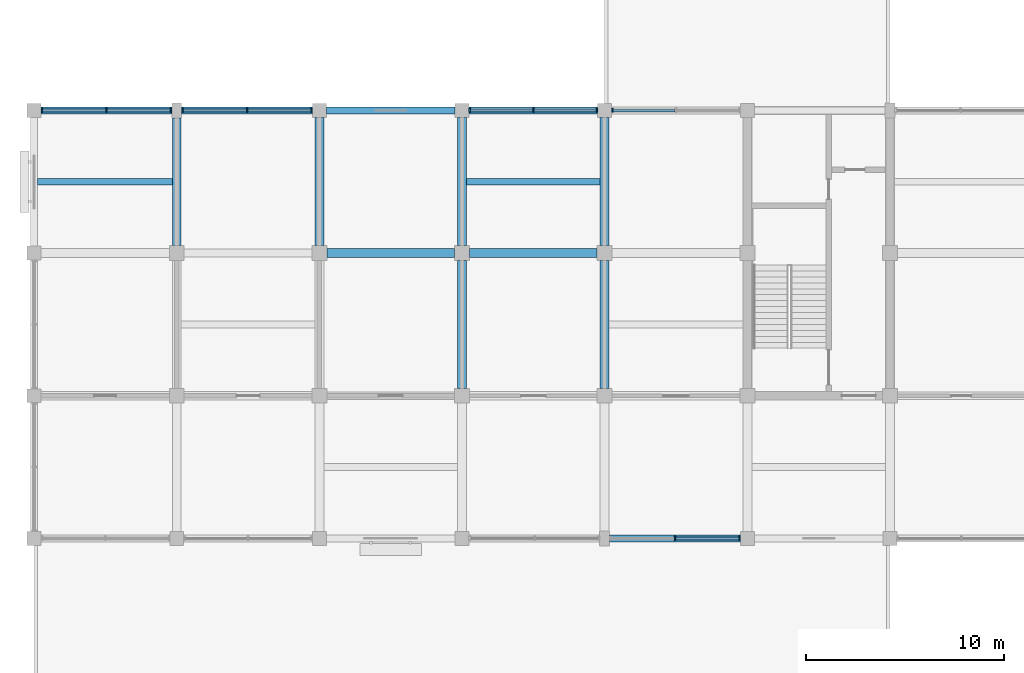
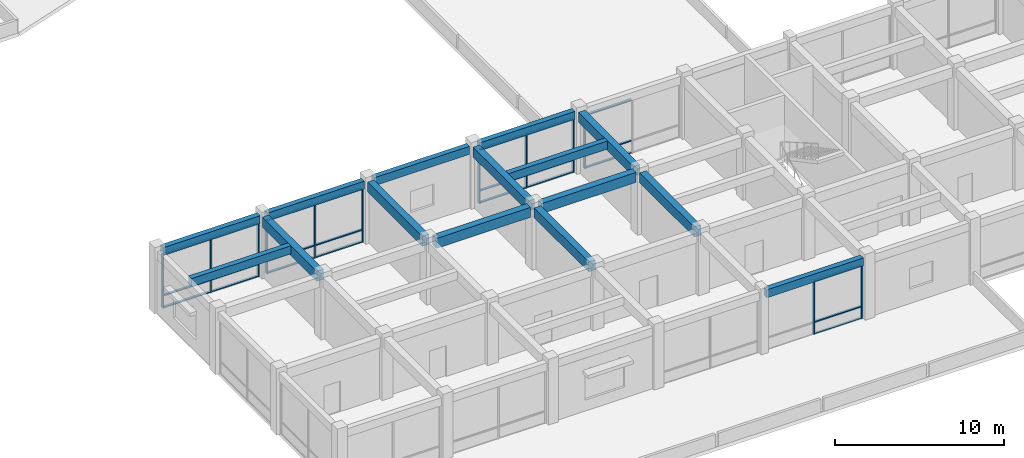
# One storey, part 3 of 30: 36 members, 15 beams, 5 elements without a shape of their own.
"""IFC4 building model written with IfcOpenShell, lengths in metres."""

from ifc_helpers import new_model, si_unit, direction, frame, origin, origin_2d, place, context, subcontext, project, spatial, rectangle, extrude, material, layer, layer_set, material_profile, profile_set, type_object, element, aggregate, save


model = new_model("IFC4")

# Units and contexts
model_context = context("Model", 3, precision=1e-05, world=origin(), true_north=direction((0.0, 1.0)))
body_context = subcontext(model_context, "Body", "Model", "MODEL_VIEW")
ifc_project = project(units=[si_unit("LENGTHUNIT", "METRE"), si_unit("AREAUNIT", "SQUARE_METRE"), si_unit("VOLUMEUNIT", "CUBIC_METRE"), si_unit("PLANEANGLEUNIT", "RADIAN"), si_unit("MASSUNIT", "GRAM", prefix="KILO")], contexts=[model_context])

# Site, building, storey
site_placement = place(None, origin())
site = spatial("IfcSite", under=ifc_project, at=site_placement, CompositionType="ELEMENT")
building_placement = place(site_placement, origin())
building = spatial("IfcBuilding", under=site, at=building_placement, Name="Cendaluz Park School", CompositionType="ELEMENT")
storey_placement = place(building_placement, frame((0.0, 0.0, 9.60009765625)))
storey = spatial("IfcBuildingStorey", under=building, at=storey_placement, Name="L02", CompositionType="ELEMENT", Elevation=9.60009765625)

# Beams
ifc_material_1 = material(Name="Concrete C40/50", Category="concrete")
ifc_material_profile_1 = material_profile(ifc_material_1, rectangle(XDim=0.449951171875, YDim=0.719970703125, at=origin_2d()), Name="RC 450x720", Category="concrete")
ifc_profile_set_1 = profile_set([ifc_material_profile_1], Name="Concrete C40/50")
beam_type_1 = type_object("IfcBeamType", Name="BM-RC02", PredefinedType="BEAM", material=ifc_profile_set_1)
beam_1_placement = place(storey_placement, frame((14.77490234375, 21.60009765625, 4.099853515625), z_axis=(1.0, 0.0, 0.0), x_axis=(0.0, 1.0, 0.0)))
element("IfcBeam", 1, at=beam_1_placement, inside=storey, type_object=beam_type_1, Name="BM-L02-BMRC02-0011", PredefinedType="BEAM", context=body_context, shape_type="SweptSolid", body=[
    extrude(rectangle(XDim=0.449951171875, YDim=0.719970703125, at=origin_2d()), origin(), (0.0, 0.0, 1.0), 6.4501953125),
])
for number, where, z_axis, x_axis, name in (
    (2, (21.97509765625, 21.60009765625, 4.099853515625), (1.0, 0.0, 0.0), (0.0, 1.0, 0.0), "BM-L02-BMRC02-0015"),
    (3, (7.199951171875, 21.97509765625, 4.099853515625), (0.0, 1.0, 0.0), (-1.0, 0.0, 0.0), "BM-L02-BMRC02-0132"),
):
    element("IfcBeam", number, at=place(storey_placement, frame(where, z_axis=z_axis, x_axis=x_axis)), inside=storey, type_object=beam_type_1, Name=name, PredefinedType="BEAM", context=body_context, shape_type="SweptSolid", body=[
        extrude(rectangle(XDim=0.449951171875, YDim=0.719970703125, at=origin_2d()), origin(), (0.0, 0.0, 1.0), 6.449951171875),
    ])
beam_2_placement = place(storey_placement, frame((14.39990234375, 21.97509765625, 4.099853515625), z_axis=(0.0, 1.0, 0.0), x_axis=(-1.0, 0.0, 0.0)))
element("IfcBeam", 4, at=beam_2_placement, inside=storey, type_object=beam_type_1, Name="BM-L02-BMRC02-0135", PredefinedType="BEAM", context=body_context, shape_type="SweptSolid", body=[
    extrude(rectangle(XDim=0.449951171875, YDim=0.719970703125, at=origin_2d()), origin(), (0.0, 0.0, 1.0), 6.474853515625),
])
beam_3_placement = place(storey_placement, frame((21.60009765625, 14.77490234375, 4.099853515625), z_axis=(0.0, 1.0, 0.0), x_axis=(-1.0, 0.0, 0.0)))
element("IfcBeam", 5, at=beam_3_placement, inside=storey, type_object=beam_type_1, Name="BM-L02-BMRC02-0137", PredefinedType="BEAM", context=body_context, shape_type="SweptSolid", body=[
    extrude(rectangle(XDim=0.449951171875, YDim=0.719970703125, at=origin_2d()), origin(), (0.0, 0.0, 1.0), 6.4501953125),
])
beam_4_placement = place(storey_placement, frame((21.60009765625, 21.97509765625, 4.099853515625), z_axis=(0.0, 1.0, 0.0), x_axis=(-1.0, 0.0, 0.0)))
element("IfcBeam", 6, at=beam_4_placement, inside=storey, type_object=beam_type_1, Name="BM-L02-BMRC02-0138", PredefinedType="BEAM", context=body_context, shape_type="SweptSolid", body=[
    extrude(rectangle(XDim=0.449951171875, YDim=0.719970703125, at=origin_2d()), origin(), (0.0, 0.0, 1.0), 6.474853515625),
])
beam_5_placement = place(storey_placement, frame((28.800048828125, 14.77490234375, 4.099853515625), z_axis=(0.0, 1.0, 0.0), x_axis=(-1.0, 0.0, 0.0)))
element("IfcBeam", 7, at=beam_5_placement, inside=storey, type_object=beam_type_1, Name="BM-L02-BMRC02-0140", PredefinedType="BEAM", context=body_context, shape_type="SweptSolid", body=[
    extrude(rectangle(XDim=0.449951171875, YDim=0.719970703125, at=origin_2d()), origin(), (0.0, 0.0, 1.0), 6.4501953125),
])
beam_6_placement = place(storey_placement, frame((28.800048828125, 21.97509765625, 4.099853515625), z_axis=(0.0, 1.0, 0.0), x_axis=(-1.0, 0.0, 0.0)))
element("IfcBeam", 8, at=beam_6_placement, inside=storey, type_object=beam_type_1, Name="BM-L02-BMRC02-0141", PredefinedType="BEAM", context=body_context, shape_type="SweptSolid", body=[
    extrude(rectangle(XDim=0.449951171875, YDim=0.719970703125, at=origin_2d()), origin(), (0.0, 0.0, 1.0), 6.474853515625),
])
ifc_material_profile_2 = material_profile(ifc_material_1, rectangle(XDim=0.35009765625, YDim=0.580078125, at=origin_2d()), Name="RC 350x580", Category="concrete")
ifc_profile_set_2 = profile_set([ifc_material_profile_2], Name="Concrete C40/50")
beam_type_2 = type_object("IfcBeamType", Name="BM-RC04", PredefinedType="LINTEL", material=ifc_profile_set_2)
beam_7_placement = place(storey_placement, frame((0.35009765625, 28.800048828125, 4.169921875), z_axis=(1.0, 0.0, 0.0), x_axis=(0.0, 1.0, 0.0)))
element("IfcBeam", 9, at=beam_7_placement, inside=storey, type_object=beam_type_2, Name="BM-L02-BMRC04-0004", PredefinedType="LINTEL", context=body_context, shape_type="SweptSolid", body=[
    extrude(rectangle(XDim=0.35009765625, YDim=0.580078125, at=origin_2d()), origin(), (0.0, 0.0, 1.0), 6.599853515625),
])
beam_8_placement = place(storey_placement, frame((7.449951171875, 28.800048828125, 4.169921875), z_axis=(1.0, 0.0, 0.0), x_axis=(0.0, 1.0, 0.0)))
element("IfcBeam", 10, at=beam_8_placement, inside=storey, type_object=beam_type_2, Name="BM-L02-BMRC04-0008", PredefinedType="LINTEL", context=body_context, shape_type="SweptSolid", body=[
    extrude(rectangle(XDim=0.35009765625, YDim=0.580078125, at=origin_2d()), origin(), (0.0, 0.0, 1.0), 6.60009765625),
])
for number, where, z_axis, x_axis, name in (
    (11, (14.75, 28.800048828125, 4.169921875), (1.0, 0.0, 0.0), (0.0, 1.0, 0.0), "BM-L02-BMRC04-0012"),
    (12, (21.949951171875, 28.800048828125, 4.169921875), (1.0, 0.0, 0.0), (0.0, 1.0, 0.0), "BM-L02-BMRC04-0016"),
):
    element("IfcBeam", number, at=place(storey_placement, frame(where, z_axis=z_axis, x_axis=x_axis)), inside=storey, type_object=beam_type_2, Name=name, PredefinedType="LINTEL", context=body_context, shape_type="SweptSolid", body=[
        extrude(rectangle(XDim=0.35009765625, YDim=0.580078125, at=origin_2d()), origin(), (0.0, 0.0, 1.0), 6.5),
    ])
beam_9_placement = place(storey_placement, frame((29.050048828125, 7.199951171875, 4.169921875), z_axis=(1.0, 0.0, 0.0), x_axis=(0.0, 1.0, 0.0)))
element("IfcBeam", 13, at=beam_9_placement, inside=storey, type_object=beam_type_2, Name="BM-L02-BMRC04-0017", PredefinedType="LINTEL", context=body_context, shape_type="SweptSolid", body=[
    extrude(rectangle(XDim=0.35009765625, YDim=0.580078125, at=origin_2d()), origin(), (0.0, 0.0, 1.0), 6.599853515625),
])

# Curtain wall, members
ifc_material_2 = material(Name="Anodised Aluminium 6063-T6", Category="aluminium")
ifc_layer_1 = layer(ifc_material_2, 0.179931640625)
ifc_layer_set_1 = layer_set([ifc_layer_1], Name="Anodised Aluminium 6063-T6")
curtain_wall_type_1 = type_object("IfcCurtainWallType", Name="CW-132x78", PredefinedType="NOTDEFINED", material=ifc_layer_set_1)
curtain_wall_1_placement = place(storey_placement, origin())
curtain_wall_1 = element("IfcCurtainWall", 14, at=curtain_wall_1_placement, inside=storey, type_object=curtain_wall_type_1, Name="CW-L02-093", PredefinedType="NOTDEFINED")
ifc_material_profile_3 = material_profile(ifc_material_2, rectangle(XDim=0.199951171875, YDim=0.080078125, at=origin_2d()), Name="CWM 200x80", Category="aluminium")
ifc_profile_set_3 = profile_set([ifc_material_profile_3], Name="Anodised Aluminium 6063-T6")
member_type_1 = type_object("IfcMemberType", Name="CWM-02", PredefinedType="MULLION", material=ifc_profile_set_3)
member_1_placement = place(storey_placement, frame((0.389892578125, 28.800048828125, 0.0), z_axis=(0.0, 0.0, 1.0), x_axis=(0.0, 1.0, 0.0)))
member_1 = element("IfcMember", 15, at=member_1_placement, type_object=member_type_1, Name="CP-L02-1197", PredefinedType="MULLION", context=body_context, shape_type="SweptSolid", body=[
    extrude(rectangle(XDim=0.199951171875, YDim=0.080078125, at=origin_2d()), origin(), (0.0, 0.0, 1.0), 3.8798828125),
])
member_2_placement = place(storey_placement, frame((3.64990234375, 28.800048828125, 0.0), z_axis=(0.0, 0.0, 1.0), x_axis=(0.0, 1.0, 0.0)))
member_2 = element("IfcMember", 16, at=member_2_placement, type_object=member_type_1, Name="CP-L02-1198", PredefinedType="MULLION", context=body_context, shape_type="SweptSolid", body=[
    extrude(rectangle(XDim=0.199951171875, YDim=0.080078125, at=origin_2d()), origin(), (0.0, 0.0, 1.0), 3.8798828125),
])
member_3_placement = place(storey_placement, frame((6.909912109375, 28.800048828125, 0.0), z_axis=(0.0, 0.0, 1.0), x_axis=(0.0, 1.0, 0.0)))
member_3 = element("IfcMember", 17, at=member_3_placement, type_object=member_type_1, Name="CP-L02-1199", PredefinedType="MULLION", context=body_context, shape_type="SweptSolid", body=[
    extrude(rectangle(XDim=0.199951171875, YDim=0.080078125, at=origin_2d()), origin(), (0.0, 0.0, 1.0), 3.8798828125),
])

curtain_wall_2_placement = place(storey_placement, origin())
curtain_wall_2 = element("IfcCurtainWall", 18, at=curtain_wall_2_placement, inside=storey, type_object=curtain_wall_type_1, Name="CW-L02-095", PredefinedType="NOTDEFINED")
member_4_placement = place(storey_placement, frame((7.489990234375, 28.800048828125, 0.0), z_axis=(0.0, 0.0, 1.0), x_axis=(0.0, 1.0, 0.0)))
member_4 = element("IfcMember", 19, at=member_4_placement, type_object=member_type_1, Name="CP-L02-1223", PredefinedType="MULLION", context=body_context, shape_type="SweptSolid", body=[
    extrude(rectangle(XDim=0.199951171875, YDim=0.080078125, at=origin_2d()), origin(), (0.0, 0.0, 1.0), 3.8798828125),
])
member_5_placement = place(storey_placement, frame((10.75, 28.800048828125, 0.0), z_axis=(0.0, 0.0, 1.0), x_axis=(0.0, 1.0, 0.0)))
member_5 = element("IfcMember", 20, at=member_5_placement, type_object=member_type_1, Name="CP-L02-1224", PredefinedType="MULLION", context=body_context, shape_type="SweptSolid", body=[
    extrude(rectangle(XDim=0.199951171875, YDim=0.080078125, at=origin_2d()), origin(), (0.0, 0.0, 1.0), 3.8798828125),
])
member_6_placement = place(storey_placement, frame((14.010009765625, 28.800048828125, 0.0), z_axis=(0.0, 0.0, 1.0), x_axis=(0.0, 1.0, 0.0)))
member_6 = element("IfcMember", 21, at=member_6_placement, type_object=member_type_1, Name="CP-L02-1225", PredefinedType="MULLION", context=body_context, shape_type="SweptSolid", body=[
    extrude(rectangle(XDim=0.199951171875, YDim=0.080078125, at=origin_2d()), origin(), (0.0, 0.0, 1.0), 3.8798828125),
])

ifc_layer_2 = layer(ifc_material_2, 0.179931640625)
ifc_layer_set_2 = layer_set([ifc_layer_2], Name="Anodised Aluminium 6063-T6")
curtain_wall_type_2 = type_object("IfcCurtainWallType", Name="CW-130x78", PredefinedType="NOTDEFINED", material=ifc_layer_set_2)
curtain_wall_3_placement = place(storey_placement, origin())
curtain_wall_3 = element("IfcCurtainWall", 22, at=curtain_wall_3_placement, inside=storey, type_object=curtain_wall_type_2, Name="CW-L02-097", PredefinedType="NOTDEFINED")
member_7_placement = place(storey_placement, frame((21.989990234375, 28.800048828125, 0.0), z_axis=(0.0, 0.0, 1.0), x_axis=(0.0, 1.0, 0.0)))
member_7 = element("IfcMember", 23, at=member_7_placement, type_object=member_type_1, Name="CP-L02-1249", PredefinedType="MULLION", context=body_context, shape_type="SweptSolid", body=[
    extrude(rectangle(XDim=0.199951171875, YDim=0.080078125, at=origin_2d()), origin(), (0.0, 0.0, 1.0), 3.8798828125),
])
member_8_placement = place(storey_placement, frame((25.199951171875, 28.800048828125, 0.0), z_axis=(0.0, 0.0, 1.0), x_axis=(0.0, 1.0, 0.0)))
member_8 = element("IfcMember", 24, at=member_8_placement, type_object=member_type_1, Name="CP-L02-1250", PredefinedType="MULLION", context=body_context, shape_type="SweptSolid", body=[
    extrude(rectangle(XDim=0.199951171875, YDim=0.080078125, at=origin_2d()), origin(), (0.0, 0.0, 1.0), 3.8798828125),
])
member_9_placement = place(storey_placement, frame((28.409912109375, 28.800048828125, 0.0), z_axis=(0.0, 0.0, 1.0), x_axis=(0.0, 1.0, 0.0)))
member_9 = element("IfcMember", 25, at=member_9_placement, type_object=member_type_1, Name="CP-L02-1251", PredefinedType="MULLION", context=body_context, shape_type="SweptSolid", body=[
    extrude(rectangle(XDim=0.199951171875, YDim=0.080078125, at=origin_2d()), origin(), (0.0, 0.0, 1.0), 3.8798828125),
])

curtain_wall_4_placement = place(storey_placement, origin())
curtain_wall_4 = element("IfcCurtainWall", 26, at=curtain_wall_4_placement, inside=storey, type_object=curtain_wall_type_1, Name="CW-L02-098", PredefinedType="NOTDEFINED")
member_10_placement = place(storey_placement, frame((32.35009765625, 7.199951171875, 0.0), z_axis=(0.0, 0.0, 1.0), x_axis=(0.0, 1.0, 0.0)))
member_10 = element("IfcMember", 27, at=member_10_placement, type_object=member_type_1, Name="CP-L02-1263", PredefinedType="MULLION", context=body_context, shape_type="SweptSolid", body=[
    extrude(rectangle(XDim=0.199951171875, YDim=0.080078125, at=origin_2d()), origin(), (0.0, 0.0, 1.0), 3.8798828125),
])
member_11_placement = place(storey_placement, frame((35.610107421875, 7.199951171875, 0.0), z_axis=(0.0, 0.0, 1.0), x_axis=(0.0, 1.0, 0.0)))
member_11 = element("IfcMember", 28, at=member_11_placement, type_object=member_type_1, Name="CP-L02-1264", PredefinedType="MULLION", context=body_context, shape_type="SweptSolid", body=[
    extrude(rectangle(XDim=0.199951171875, YDim=0.080078125, at=origin_2d()), origin(), (0.0, 0.0, 1.0), 3.8798828125),
])

# Curtain wall, member
curtain_wall_5_placement = place(storey_placement, origin())
curtain_wall_5 = element("IfcCurtainWall", 29, at=curtain_wall_5_placement, inside=storey, type_object=curtain_wall_type_2, Name="CW-L02-099", PredefinedType="NOTDEFINED")
member_12_placement = place(storey_placement, frame((29.18994140625, 28.800048828125, 0.0), z_axis=(0.0, 0.0, 1.0), x_axis=(0.0, 1.0, 0.0)))
member_12 = element("IfcMember", 30, at=member_12_placement, type_object=member_type_1, Name="CP-L02-1275", PredefinedType="MULLION", context=body_context, shape_type="SweptSolid", body=[
    extrude(rectangle(XDim=0.199951171875, YDim=0.080078125, at=origin_2d()), origin(), (0.0, 0.0, 1.0), 3.8798828125),
])

# Member
ifc_material_profile_4 = material_profile(ifc_material_2, rectangle(XDim=0.14990234375, YDim=0.080078125, at=origin_2d()), Name="CWT 150x80", Category="aluminium")
ifc_profile_set_4 = profile_set([ifc_material_profile_4], Name="Anodised Aluminium 6063-T6")
member_type_2 = type_object("IfcMemberType", Name="CWT-02", PredefinedType="USERDEFINED", material=ifc_profile_set_4)
member_13_placement = place(storey_placement, frame((0.429931640625, 28.800048828125, 0.039794921875), z_axis=(1.0, 0.0, 0.0), x_axis=(0.0, 1.0, 0.0)))
member_13 = element("IfcMember", 31, at=member_13_placement, type_object=member_type_2, Name="CP-L02-1200", ObjectType="TRANSOM", PredefinedType="USERDEFINED", context=body_context, shape_type="SweptSolid", body=[
    extrude(rectangle(XDim=0.14990234375, YDim=0.080078125, at=origin_2d()), origin(), (0.0, 0.0, 1.0), 3.18017578125),
])

member_14_placement = place(storey_placement, frame((0.429931640625, 28.800048828125, 0.89990234375), z_axis=(1.0, 0.0, 0.0), x_axis=(0.0, 1.0, 0.0)))
member_14 = element("IfcMember", 32, at=member_14_placement, type_object=member_type_2, Name="CP-L02-1201", ObjectType="TRANSOM", PredefinedType="USERDEFINED", context=body_context, shape_type="SweptSolid", body=[
    extrude(rectangle(XDim=0.14990234375, YDim=0.080078125, at=origin_2d()), origin(), (0.0, 0.0, 1.0), 3.18017578125),
])

member_15_placement = place(storey_placement, frame((0.429931640625, 28.800048828125, 3.83984375), z_axis=(1.0, 0.0, 0.0), x_axis=(0.0, 1.0, 0.0)))
member_15 = element("IfcMember", 33, at=member_15_placement, type_object=member_type_2, Name="CP-L02-1202", ObjectType="TRANSOM", PredefinedType="USERDEFINED", context=body_context, shape_type="SweptSolid", body=[
    extrude(rectangle(XDim=0.14990234375, YDim=0.080078125, at=origin_2d()), origin(), (0.0, 0.0, 1.0), 3.18017578125),
])

member_16_placement = place(storey_placement, frame((3.68994140625, 28.800048828125, 0.039794921875), z_axis=(1.0, 0.0, 0.0), x_axis=(0.0, 1.0, 0.0)))
member_16 = element("IfcMember", 34, at=member_16_placement, type_object=member_type_2, Name="CP-L02-1205", ObjectType="TRANSOM", PredefinedType="USERDEFINED", context=body_context, shape_type="SweptSolid", body=[
    extrude(rectangle(XDim=0.14990234375, YDim=0.080078125, at=origin_2d()), origin(), (0.0, 0.0, 1.0), 3.18017578125),
])

member_17_placement = place(storey_placement, frame((3.68994140625, 28.800048828125, 0.89990234375), z_axis=(1.0, 0.0, 0.0), x_axis=(0.0, 1.0, 0.0)))
member_17 = element("IfcMember", 35, at=member_17_placement, type_object=member_type_2, Name="CP-L02-1206", ObjectType="TRANSOM", PredefinedType="USERDEFINED", context=body_context, shape_type="SweptSolid", body=[
    extrude(rectangle(XDim=0.14990234375, YDim=0.080078125, at=origin_2d()), origin(), (0.0, 0.0, 1.0), 3.18017578125),
])

member_18_placement = place(storey_placement, frame((3.68994140625, 28.800048828125, 3.83984375), z_axis=(1.0, 0.0, 0.0), x_axis=(0.0, 1.0, 0.0)))
member_18 = element("IfcMember", 36, at=member_18_placement, type_object=member_type_2, Name="CP-L02-1207", ObjectType="TRANSOM", PredefinedType="USERDEFINED", context=body_context, shape_type="SweptSolid", body=[
    extrude(rectangle(XDim=0.14990234375, YDim=0.080078125, at=origin_2d()), origin(), (0.0, 0.0, 1.0), 3.18017578125),
])

aggregate(curtain_wall_1, [member_1, member_2, member_3, member_13, member_14, member_15, member_16, member_17, member_18])

member_19_placement = place(storey_placement, frame((7.530029296875, 28.800048828125, 0.039794921875), z_axis=(1.0, 0.0, 0.0), x_axis=(0.0, 1.0, 0.0)))
member_19 = element("IfcMember", 37, at=member_19_placement, type_object=member_type_2, Name="CP-L02-1226", ObjectType="TRANSOM", PredefinedType="USERDEFINED", context=body_context, shape_type="SweptSolid", body=[
    extrude(rectangle(XDim=0.14990234375, YDim=0.080078125, at=origin_2d()), origin(), (0.0, 0.0, 1.0), 3.179931640625),
])

member_20_placement = place(storey_placement, frame((7.530029296875, 28.800048828125, 0.89990234375), z_axis=(1.0, 0.0, 0.0), x_axis=(0.0, 1.0, 0.0)))
member_20 = element("IfcMember", 38, at=member_20_placement, type_object=member_type_2, Name="CP-L02-1227", ObjectType="TRANSOM", PredefinedType="USERDEFINED", context=body_context, shape_type="SweptSolid", body=[
    extrude(rectangle(XDim=0.14990234375, YDim=0.080078125, at=origin_2d()), origin(), (0.0, 0.0, 1.0), 3.179931640625),
])

member_21_placement = place(storey_placement, frame((7.530029296875, 28.800048828125, 3.83984375), z_axis=(1.0, 0.0, 0.0), x_axis=(0.0, 1.0, 0.0)))
member_21 = element("IfcMember", 39, at=member_21_placement, type_object=member_type_2, Name="CP-L02-1228", ObjectType="TRANSOM", PredefinedType="USERDEFINED", context=body_context, shape_type="SweptSolid", body=[
    extrude(rectangle(XDim=0.14990234375, YDim=0.080078125, at=origin_2d()), origin(), (0.0, 0.0, 1.0), 3.179931640625),
])

member_22_placement = place(storey_placement, frame((10.7900390625, 28.800048828125, 0.039794921875), z_axis=(1.0, 0.0, 0.0), x_axis=(0.0, 1.0, 0.0)))
member_22 = element("IfcMember", 40, at=member_22_placement, type_object=member_type_2, Name="CP-L02-1231", ObjectType="TRANSOM", PredefinedType="USERDEFINED", context=body_context, shape_type="SweptSolid", body=[
    extrude(rectangle(XDim=0.14990234375, YDim=0.080078125, at=origin_2d()), origin(), (0.0, 0.0, 1.0), 3.179931640625),
])

member_23_placement = place(storey_placement, frame((10.7900390625, 28.800048828125, 0.89990234375), z_axis=(1.0, 0.0, 0.0), x_axis=(0.0, 1.0, 0.0)))
member_23 = element("IfcMember", 41, at=member_23_placement, type_object=member_type_2, Name="CP-L02-1232", ObjectType="TRANSOM", PredefinedType="USERDEFINED", context=body_context, shape_type="SweptSolid", body=[
    extrude(rectangle(XDim=0.14990234375, YDim=0.080078125, at=origin_2d()), origin(), (0.0, 0.0, 1.0), 3.179931640625),
])

member_24_placement = place(storey_placement, frame((10.7900390625, 28.800048828125, 3.83984375), z_axis=(1.0, 0.0, 0.0), x_axis=(0.0, 1.0, 0.0)))
member_24 = element("IfcMember", 42, at=member_24_placement, type_object=member_type_2, Name="CP-L02-1233", ObjectType="TRANSOM", PredefinedType="USERDEFINED", context=body_context, shape_type="SweptSolid", body=[
    extrude(rectangle(XDim=0.14990234375, YDim=0.080078125, at=origin_2d()), origin(), (0.0, 0.0, 1.0), 3.179931640625),
])

aggregate(curtain_wall_2, [member_4, member_5, member_6, member_19, member_20, member_21, member_22, member_23, member_24])

member_25_placement = place(storey_placement, frame((22.030029296875, 28.800048828125, 0.039794921875), z_axis=(1.0, 0.0, 0.0), x_axis=(0.0, 1.0, 0.0)))
member_25 = element("IfcMember", 43, at=member_25_placement, type_object=member_type_2, Name="CP-L02-1252", ObjectType="TRANSOM", PredefinedType="USERDEFINED", context=body_context, shape_type="SweptSolid", body=[
    extrude(rectangle(XDim=0.14990234375, YDim=0.080078125, at=origin_2d()), origin(), (0.0, 0.0, 1.0), 3.1298828125),
])

member_26_placement = place(storey_placement, frame((22.030029296875, 28.800048828125, 0.89990234375), z_axis=(1.0, 0.0, 0.0), x_axis=(0.0, 1.0, 0.0)))
member_26 = element("IfcMember", 44, at=member_26_placement, type_object=member_type_2, Name="CP-L02-1253", ObjectType="TRANSOM", PredefinedType="USERDEFINED", context=body_context, shape_type="SweptSolid", body=[
    extrude(rectangle(XDim=0.14990234375, YDim=0.080078125, at=origin_2d()), origin(), (0.0, 0.0, 1.0), 3.1298828125),
])

member_27_placement = place(storey_placement, frame((22.030029296875, 28.800048828125, 3.83984375), z_axis=(1.0, 0.0, 0.0), x_axis=(0.0, 1.0, 0.0)))
member_27 = element("IfcMember", 45, at=member_27_placement, type_object=member_type_2, Name="CP-L02-1254", ObjectType="TRANSOM", PredefinedType="USERDEFINED", context=body_context, shape_type="SweptSolid", body=[
    extrude(rectangle(XDim=0.14990234375, YDim=0.080078125, at=origin_2d()), origin(), (0.0, 0.0, 1.0), 3.1298828125),
])

member_28_placement = place(storey_placement, frame((25.239990234375, 28.800048828125, 0.039794921875), z_axis=(1.0, 0.0, 0.0), x_axis=(0.0, 1.0, 0.0)))
member_28 = element("IfcMember", 46, at=member_28_placement, type_object=member_type_2, Name="CP-L02-1257", ObjectType="TRANSOM", PredefinedType="USERDEFINED", context=body_context, shape_type="SweptSolid", body=[
    extrude(rectangle(XDim=0.14990234375, YDim=0.080078125, at=origin_2d()), origin(), (0.0, 0.0, 1.0), 3.130126953125),
])

member_29_placement = place(storey_placement, frame((25.239990234375, 28.800048828125, 0.89990234375), z_axis=(1.0, 0.0, 0.0), x_axis=(0.0, 1.0, 0.0)))
member_29 = element("IfcMember", 47, at=member_29_placement, type_object=member_type_2, Name="CP-L02-1258", ObjectType="TRANSOM", PredefinedType="USERDEFINED", context=body_context, shape_type="SweptSolid", body=[
    extrude(rectangle(XDim=0.14990234375, YDim=0.080078125, at=origin_2d()), origin(), (0.0, 0.0, 1.0), 3.130126953125),
])

member_30_placement = place(storey_placement, frame((25.239990234375, 28.800048828125, 3.83984375), z_axis=(1.0, 0.0, 0.0), x_axis=(0.0, 1.0, 0.0)))
member_30 = element("IfcMember", 48, at=member_30_placement, type_object=member_type_2, Name="CP-L02-1259", ObjectType="TRANSOM", PredefinedType="USERDEFINED", context=body_context, shape_type="SweptSolid", body=[
    extrude(rectangle(XDim=0.14990234375, YDim=0.080078125, at=origin_2d()), origin(), (0.0, 0.0, 1.0), 3.130126953125),
])

aggregate(curtain_wall_3, [member_7, member_8, member_9, member_25, member_26, member_27, member_28, member_29, member_30])

member_31_placement = place(storey_placement, frame((32.389892578125, 7.199951171875, 0.039794921875), z_axis=(1.0, 0.0, 0.0), x_axis=(0.0, 1.0, 0.0)))
member_31 = element("IfcMember", 49, at=member_31_placement, type_object=member_type_2, Name="CP-L02-1270", ObjectType="TRANSOM", PredefinedType="USERDEFINED", context=body_context, shape_type="SweptSolid", body=[
    extrude(rectangle(XDim=0.14990234375, YDim=0.080078125, at=origin_2d()), origin(), (0.0, 0.0, 1.0), 3.18017578125),
])

member_32_placement = place(storey_placement, frame((32.389892578125, 7.199951171875, 0.89990234375), z_axis=(1.0, 0.0, 0.0), x_axis=(0.0, 1.0, 0.0)))
member_32 = element("IfcMember", 50, at=member_32_placement, type_object=member_type_2, Name="CP-L02-1271", ObjectType="TRANSOM", PredefinedType="USERDEFINED", context=body_context, shape_type="SweptSolid", body=[
    extrude(rectangle(XDim=0.14990234375, YDim=0.080078125, at=origin_2d()), origin(), (0.0, 0.0, 1.0), 3.18017578125),
])

member_33_placement = place(storey_placement, frame((32.389892578125, 7.199951171875, 3.83984375), z_axis=(1.0, 0.0, 0.0), x_axis=(0.0, 1.0, 0.0)))
member_33 = element("IfcMember", 51, at=member_33_placement, type_object=member_type_2, Name="CP-L02-1272", ObjectType="TRANSOM", PredefinedType="USERDEFINED", context=body_context, shape_type="SweptSolid", body=[
    extrude(rectangle(XDim=0.14990234375, YDim=0.080078125, at=origin_2d()), origin(), (0.0, 0.0, 1.0), 3.18017578125),
])

aggregate(curtain_wall_4, [member_10, member_11, member_31, member_32, member_33])

member_34_placement = place(storey_placement, frame((29.22998046875, 28.800048828125, 0.039794921875), z_axis=(1.0, 0.0, 0.0), x_axis=(0.0, 1.0, 0.0)))
member_34 = element("IfcMember", 52, at=member_34_placement, type_object=member_type_2, Name="CP-L02-1278", ObjectType="TRANSOM", PredefinedType="USERDEFINED", context=body_context, shape_type="SweptSolid", body=[
    extrude(rectangle(XDim=0.14990234375, YDim=0.080078125, at=origin_2d()), origin(), (0.0, 0.0, 1.0), 3.130126953125),
])

member_35_placement = place(storey_placement, frame((29.22998046875, 28.800048828125, 0.89990234375), z_axis=(1.0, 0.0, 0.0), x_axis=(0.0, 1.0, 0.0)))
member_35 = element("IfcMember", 53, at=member_35_placement, type_object=member_type_2, Name="CP-L02-1279", ObjectType="TRANSOM", PredefinedType="USERDEFINED", context=body_context, shape_type="SweptSolid", body=[
    extrude(rectangle(XDim=0.14990234375, YDim=0.080078125, at=origin_2d()), origin(), (0.0, 0.0, 1.0), 3.130126953125),
])

member_36_placement = place(storey_placement, frame((29.22998046875, 28.800048828125, 3.83984375), z_axis=(1.0, 0.0, 0.0), x_axis=(0.0, 1.0, 0.0)))
member_36 = element("IfcMember", 54, at=member_36_placement, type_object=member_type_2, Name="CP-L02-1280", ObjectType="TRANSOM", PredefinedType="USERDEFINED", context=body_context, shape_type="SweptSolid", body=[
    extrude(rectangle(XDim=0.14990234375, YDim=0.080078125, at=origin_2d()), origin(), (0.0, 0.0, 1.0), 3.130126953125),
])

aggregate(curtain_wall_5, [member_12, member_34, member_35, member_36])

# Beams
ifc_material_profile_5 = material_profile(ifc_material_1, rectangle(XDim=0.35009765625, YDim=0.580078125, at=origin_2d()), Name="RC 350x580", Category="concrete")
ifc_profile_set_5 = profile_set([ifc_material_profile_5], Name="Concrete C40/50")
beam_type_3 = type_object("IfcBeamType", Name="JT-RC01", PredefinedType="JOIST", material=ifc_profile_set_5)
beam_10_placement = place(storey_placement, frame((0.175048828125, 25.199951171875, 4.169921875), z_axis=(1.0, 0.0, 0.0), x_axis=(0.0, 1.0, 0.0)))
element("IfcBeam", 55, at=beam_10_placement, inside=storey, type_object=beam_type_3, Name="BM-L02-JTRC01-0244", PredefinedType="JOIST", context=body_context, shape_type="SweptSolid", body=[
    extrude(rectangle(XDim=0.35009765625, YDim=0.580078125, at=origin_2d()), origin(), (0.0, 0.0, 1.0), 6.800048828125),
])
beam_11_placement = place(storey_placement, frame((21.824951171875, 25.199951171875, 4.169921875), z_axis=(1.0, 0.0, 0.0), x_axis=(0.0, 1.0, 0.0)))
element("IfcBeam", 56, at=beam_11_placement, inside=storey, type_object=beam_type_3, Name="BM-L02-JTRC01-0247", PredefinedType="JOIST", context=body_context, shape_type="SweptSolid", body=[
    extrude(rectangle(XDim=0.35009765625, YDim=0.580078125, at=origin_2d()), origin(), (0.0, 0.0, 1.0), 6.75),
])

save(model, "model.ifc")
